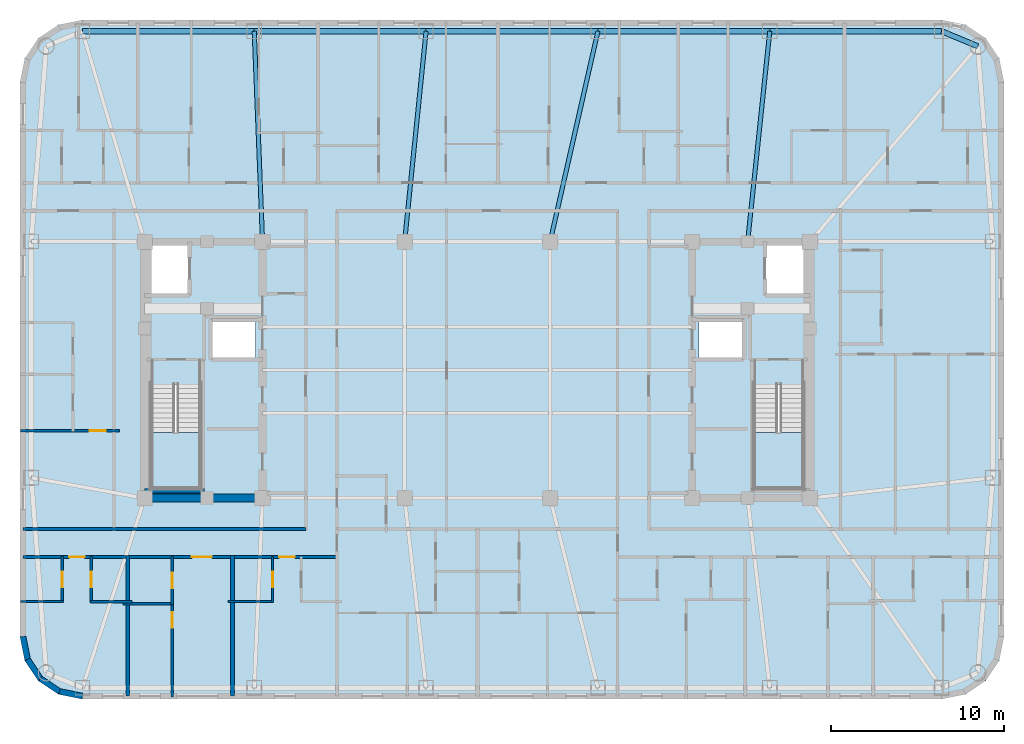
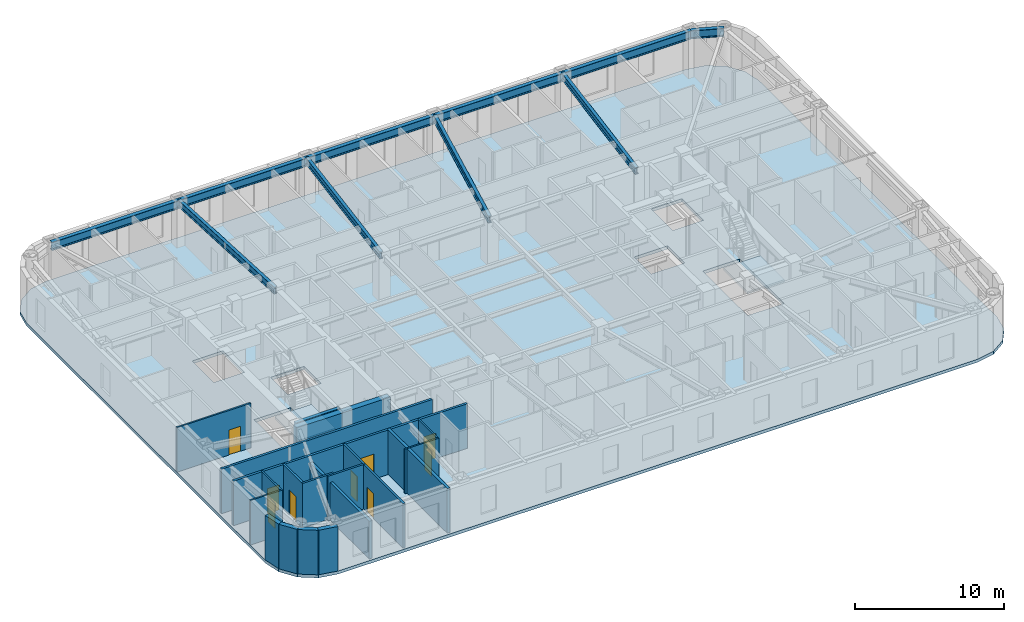
# One storey, part 2 of 11: 20 walls, 10 beams, 9 doors, 3 slabs, 9 openings, 2 elements without a shape of their own.
"""IFC4 building model written with IfcOpenShell, lengths in metres."""

import ifcopenshell
import ifcopenshell.guid

model = None  # the IFC model being written
_history = None  # IfcOwnerHistory: only IFC2X3 demands one
_inside = {}  # id of a spatial element -> (the spatial element, [elements in it])
_under = {}  # id of a project, library or spatial element -> (it, [spatial elements below it])
_declared = {}  # id of a project -> (the project, [libraries it declares])
_typed = {}  # id of a type object -> (the type object, [elements of that type])
_made_of = {}  # id of a material, layer set ... -> (it, [elements and type objects made of it])


def new_model(schema):
    """Start an empty IFC model of exactly this schema.

    Asked for "IFC4X3", IfcOpenShell would pick the latest addendum, in which some entities
    have other attributes; the version numbers below select the first issue.
    IFC2X3 requires an IfcOwnerHistory on every rooted entity: one is made here for all.
    """
    global model, _history
    if schema == "IFC4X3":
        model = ifcopenshell.file(schema_version=(4, 3, 0, 0))
    else:
        model = ifcopenshell.file(schema=schema)
    _inside.clear()
    _under.clear()
    _declared.clear()
    _typed.clear()
    _made_of.clear()
    _history = None
    if model.schema == "IFC2X3":
        org = make("IfcOrganization", Name="unknown")
        user = make(
            "IfcPersonAndOrganization",
            ThePerson=make("IfcPerson", FamilyName="unknown"),
            TheOrganization=org,
        )
        app = make(
            "IfcApplication",
            ApplicationDeveloper=org,
            Version="unknown",
            ApplicationFullName="unknown",
            ApplicationIdentifier="unknown",
        )
        _history = make(
            "IfcOwnerHistory",
            OwningUser=user,
            OwningApplication=app,
            ChangeAction="ADDED",
            CreationDate=0,
        )
    return model


def make(cls, **values):
    """One entity of the class cls with the attributes given. An attribute that is None is left unset."""
    return model.create_entity(
        cls, **{name: value for name, value in values.items() if value is not None}
    )


def rooted(cls, **values):
    """An entity with a GlobalId (a new one), such as an element, a storey or a relation."""
    return make(cls, GlobalId=ifcopenshell.guid.new(), OwnerHistory=_history, **values)


def si_unit(unit_type, name, prefix=None):
    """IfcSIUnit, for example si_unit("LENGTHUNIT", "METRE", prefix="MILLI")."""
    return make("IfcSIUnit", UnitType=unit_type, Prefix=prefix, Name=name)


def assignment(units):
    """IfcUnitAssignment: the units of a project."""
    return None if units is None else make("IfcUnitAssignment", Units=units)


def point(xyz):
    """IfcCartesianPoint."""
    return None if xyz is None else make("IfcCartesianPoint", Coordinates=xyz)


def direction(xyz):
    """IfcDirection."""
    return None if xyz is None else make("IfcDirection", DirectionRatios=xyz)


def frame(location, z_axis=None, x_axis=None):
    """IfcAxis2Placement3D, a coordinate frame: its origin and axes. An axis left out is left unset."""
    return make(
        "IfcAxis2Placement3D",
        Location=point(location),
        Axis=direction(z_axis),
        RefDirection=direction(x_axis),
    )


def frame_2d(location, x_axis=None):
    """IfcAxis2Placement2D, a coordinate frame in the plane: its origin and x axis."""
    return make(
        "IfcAxis2Placement2D", Location=point(location), RefDirection=direction(x_axis)
    )


def origin():
    """The frame at (0, 0, 0) with its axes left unset."""
    return frame((0.0, 0.0, 0.0))


def origin_2d():
    """The frame at (0, 0) in the plane with its x axis left unset."""
    return frame_2d((0.0, 0.0))


def place(relative_to, where):
    """IfcLocalPlacement: puts the frame where relative to a parent placement (None: the world)."""
    return make(
        "IfcLocalPlacement", PlacementRelTo=relative_to, RelativePlacement=where
    )


def context(
    kind, dimensions, precision=None, world=None, true_north=None, identifier=None
):
    """IfcGeometricRepresentationContext, for example the 3D "Model" context."""
    return make(
        "IfcGeometricRepresentationContext",
        ContextIdentifier=identifier,
        ContextType=kind,
        CoordinateSpaceDimension=dimensions,
        Precision=precision,
        WorldCoordinateSystem=world,
        TrueNorth=true_north,
    )


def subcontext(parent, identifier, kind, view, scale=None):
    """IfcGeometricRepresentationSubContext, for example "Body" below "Model"."""
    return make(
        "IfcGeometricRepresentationSubContext",
        ContextIdentifier=identifier,
        ContextType=kind,
        ParentContext=parent,
        TargetScale=scale,
        TargetView=view,
    )


def project(units=None, contexts=None):
    """IfcProject with its units and contexts."""
    return rooted(
        "IfcProject",
        Name="project",
        RepresentationContexts=contexts,
        UnitsInContext=assignment(units),
    )


def spatial(cls, under=None, at=None, **own):
    """A site, building, storey or space (cls), placed at a placement, below another one or the project."""
    s = rooted(cls, ObjectPlacement=at, **own)
    if under is not None:
        _under.setdefault(under.id(), (under, []))[1].append(s)
    return s


def polyline(points):
    """IfcPolyline through the points."""
    return make("IfcPolyline", Points=[point(p) for p in points])


def profile(cls, at=None, kind="AREA", **sizes):
    """A parametric profile (cls). Its sizes go by their IFC names, for example OverallWidth=200.0."""
    return make(cls, ProfileType=kind, Position=at, **sizes)


def rectangle(**sizes):
    """IfcRectangleProfileDef."""
    return profile("IfcRectangleProfileDef", **sizes)


def i_section(**sizes):
    """IfcIShapeProfileDef."""
    return profile("IfcIShapeProfileDef", **sizes)


def outline(outer, holes=None, kind="AREA"):
    """IfcArbitraryClosedProfileDef: a profile drawn as a closed curve; with holes, ...WithVoids."""
    if holes is None:
        return make("IfcArbitraryClosedProfileDef", ProfileType=kind, OuterCurve=outer)
    return make(
        "IfcArbitraryProfileDefWithVoids",
        ProfileType=kind,
        OuterCurve=outer,
        InnerCurves=holes,
    )


def extrude(swept, where, along, depth):
    """IfcExtrudedAreaSolid: the profile swept, set in the frame where, extruded along a direction by depth."""
    return make(
        "IfcExtrudedAreaSolid",
        SweptArea=swept,
        Position=where,
        ExtrudedDirection=direction(along),
        Depth=depth,
    )


def shape(context_of_items, identifier, shape_type, items):
    """IfcShapeRepresentation: the items that make up one representation, for example the "Body"."""
    return make(
        "IfcShapeRepresentation",
        ContextOfItems=context_of_items,
        RepresentationIdentifier=identifier,
        RepresentationType=shape_type,
        Items=items,
    )


def material(Name=None, Category=None):
    """IfcMaterial."""
    return make("IfcMaterial", Name=Name, Category=Category)


def layer(
    of_material, thickness, ventilated=None, Name=None, Category=None, Priority=None
):
    """IfcMaterialLayer: one layer of a wall or slab, of a material (None: an air gap)."""
    return make(
        "IfcMaterialLayer",
        Material=of_material,
        LayerThickness=thickness,
        IsVentilated=ventilated,
        Name=Name,
        Category=Category,
        Priority=Priority,
    )


def layer_set(layers, Name=None):
    """IfcMaterialLayerSet."""
    return make("IfcMaterialLayerSet", MaterialLayers=layers, LayerSetName=Name)


def material_profile(
    of_material, cross_section, Name=None, Category=None, Priority=None
):
    """IfcMaterialProfile: a cross section and its material."""
    return make(
        "IfcMaterialProfile",
        Name=Name,
        Material=of_material,
        Profile=cross_section,
        Priority=Priority,
        Category=Category,
    )


def profile_set(profiles, Name=None, composite=None):
    """IfcMaterialProfileSet."""
    return make(
        "IfcMaterialProfileSet",
        Name=Name,
        MaterialProfiles=profiles,
        CompositeProfile=composite,
    )


def made_of(thing, what):
    """Note that an element or type object is made of a material, layer set ...; save() writes the relation."""
    if what is not None:
        _made_of.setdefault(what.id(), (what, []))[1].append(thing)
    return thing


def type_object(cls, material=None, **own):
    """A type object (cls), such as IfcWallType, which elements share."""
    return made_of(rooted(cls, **own), material)


def element(
    cls,
    number,
    at=None,
    inside=None,
    cuts=None,
    type_object=None,
    material=None,
    context=None,
    identifier="Body",
    shape_type=None,
    held_by="IfcProductDefinitionShape",
    body=None,
    shapes=None,
    **own,
):
    """One element of the class cls, such as IfcWall. Its Tag is "e" and its number.

    at: its placement. inside: the storey or other place that contains it. cuts: it is an
    opening in that element (IfcRelVoidsElement). A single representation is given by context,
    identifier, shape_type and body (its items); several are given by shapes. held_by: the class
    of the entity that holds the representations. save() writes the other relations.
    """
    e = rooted(cls, Tag="e%d" % number, ObjectPlacement=at, **own)
    if body is not None:
        shapes = [shape(context, identifier, shape_type, body)]
    if shapes is not None:
        e.Representation = make(held_by, Representations=shapes)
    if inside is not None:
        _inside.setdefault(inside.id(), (inside, []))[1].append(e)
    if cuts is not None:
        rooted(
            "IfcRelVoidsElement", RelatingBuildingElement=cuts, RelatedOpeningElement=e
        )
    if type_object is not None:
        _typed.setdefault(type_object.id(), (type_object, []))[1].append(e)
    return made_of(e, material)


def fill(opening, filler):
    """IfcRelFillsElement: the door or window that sits in an opening."""
    return rooted(
        "IfcRelFillsElement",
        RelatingOpeningElement=opening,
        RelatedBuildingElement=filler,
    )


def aggregate(whole, parts):
    """IfcRelAggregates: a whole, such as a stair, and the parts it consists of."""
    return rooted("IfcRelAggregates", RelatingObject=whole, RelatedObjects=parts)


def save(model, path):
    """Write the relations noted so far, then the file.

    IfcRelAggregates (storeys below a building ...), IfcRelContainedInSpatialStructure (elements
    in a storey), IfcRelDefinesByType, IfcRelAssociatesMaterial and IfcRelDeclares: one each for
    every whole, place, type object, material and project.
    """
    for whole, parts in _under.values():
        aggregate(whole, parts)
    for where, things in _inside.values():
        rooted(
            "IfcRelContainedInSpatialStructure",
            RelatedElements=things,
            RelatingStructure=where,
        )
    for kind, things in _typed.values():
        rooted("IfcRelDefinesByType", RelatedObjects=things, RelatingType=kind)
    for what, things in _made_of.values():
        rooted("IfcRelAssociatesMaterial", RelatedObjects=things, RelatingMaterial=what)
    for by, libraries in _declared.values():
        rooted("IfcRelDeclares", RelatingContext=by, RelatedDefinitions=libraries)
    model.write(path)


model = new_model("IFC4")

# Units and contexts
model_context = context("Model", 3, precision=1e-05, world=origin(), true_north=direction((0.0, 1.0)))
body_context = subcontext(model_context, "Body", "Model", "MODEL_VIEW")
ifc_project = project(units=[si_unit("LENGTHUNIT", "METRE"), si_unit("AREAUNIT", "SQUARE_METRE"), si_unit("VOLUMEUNIT", "CUBIC_METRE"), si_unit("PLANEANGLEUNIT", "RADIAN"), si_unit("MASSUNIT", "GRAM", prefix="KILO")], contexts=[model_context])

# Site, building, storey
site_placement = place(None, origin())
site = spatial("IfcSite", under=ifc_project, at=site_placement, CompositionType="ELEMENT")
building_placement = place(site_placement, origin())
building = spatial("IfcBuilding", under=site, at=building_placement, Name="Voryun Gate Residences", CompositionType="ELEMENT")
storey_placement = place(building_placement, frame((0.0, 0.0, 223.60009765625)))
storey = spatial("IfcBuildingStorey", under=building, at=storey_placement, Name="L55", CompositionType="ELEMENT", Elevation=223.60009765625)

# Beams
ifc_material_1 = material(Name="Steel SM355", Category="steel")
ifc_material_profile_1 = material_profile(ifc_material_1, i_section(OverallWidth=0.300048828125, OverallDepth=0.679931640625, WebThickness=0.013916015625, FlangeThickness=0.02490234375, FilletRadius=0.01806640625, at=origin_2d()), Name="H-680x300x14x25")
ifc_profile_set_1 = profile_set([ifc_material_profile_1], Name="Steel SM355")
beam_type_1 = type_object("IfcBeamType", Name="BM_EXO_SPANDREL_M", PredefinedType="SPANDREL", material=ifc_profile_set_1)
beam_1_placement = place(storey_placement, frame((28.885986328125, 18.68603515625, 3.309814453125), z_axis=(-0.923881087602, 0.382679678022, 0.0), x_axis=(-0.382679678022, -0.923881087602, 0.0)))
element("IfcBeam", 1, at=beam_1_placement, inside=storey, type_object=beam_type_1, Name="BM-L55-SPAND-10", PredefinedType="SPANDREL", context=body_context, shape_type="SweptSolid", body=[
    extrude(i_section(OverallWidth=0.300048828125, OverallDepth=0.679931640625, WebThickness=0.013916015625, FlangeThickness=0.02490234375, FilletRadius=0.01806640625, at=origin_2d()), origin(), (0.0, 0.0, 1.0), 2.2578125),
])
beam_2_placement = place(storey_placement, frame((26.800048828125, 19.550048828125, 3.309814453125), z_axis=(-1.0, 0.0, 0.0), x_axis=(0.0, -1.0, 0.0)))
element("IfcBeam", 2, at=beam_2_placement, inside=storey, type_object=beam_type_1, Name="BM-L55-SPAND-11", PredefinedType="SPANDREL", context=body_context, shape_type="SweptSolid", body=[
    extrude(i_section(OverallWidth=0.300048828125, OverallDepth=0.679931640625, WebThickness=0.013916015625, FlangeThickness=0.02490234375, FilletRadius=0.01806640625, at=origin_2d()), origin(), (0.0, 0.0, 1.0), 9.920166015625),
])
for number, where, z_axis, x_axis, name in (
    (3, (16.8798828125, 19.550048828125, 3.309814453125), (-1.0, 0.0, 0.0), (0.0, -1.0, 0.0), "BM-L55-SPAND-12"),
    (4, (6.9599609375, 19.550048828125, 3.309814453125), (-1.0, 0.0, 0.0), (0.0, -1.0, 0.0), "BM-L55-SPAND-13"),
    (5, (-2.9599609375, 19.550048828125, 3.309814453125), (-1.0, 0.0, 0.0), (0.0, -1.0, 0.0), "BM-L55-SPAND-14"),
):
    element("IfcBeam", number, at=place(storey_placement, frame(where, z_axis=z_axis, x_axis=x_axis)), inside=storey, type_object=beam_type_1, Name=name, PredefinedType="SPANDREL", context=body_context, shape_type="SweptSolid", body=[
        extrude(i_section(OverallWidth=0.300048828125, OverallDepth=0.679931640625, WebThickness=0.013916015625, FlangeThickness=0.02490234375, FilletRadius=0.01806640625, at=origin_2d()), origin(), (0.0, 0.0, 1.0), 9.919921875),
    ])
beam_3_placement = place(storey_placement, frame((-12.8798828125, 19.550048828125, 3.309814453125), z_axis=(-1.0, 0.0, 0.0), x_axis=(0.0, -1.0, 0.0)))
element("IfcBeam", 6, at=beam_3_placement, inside=storey, type_object=beam_type_1, Name="BM-L55-SPAND-15", PredefinedType="SPANDREL", context=body_context, shape_type="SweptSolid", body=[
    extrude(i_section(OverallWidth=0.300048828125, OverallDepth=0.679931640625, WebThickness=0.013916015625, FlangeThickness=0.02490234375, FilletRadius=0.01806640625, at=origin_2d()), origin(), (0.0, 0.0, 1.0), 9.920166015625),
])
ifc_material_2 = material(Name="Steel SM355", Category="steel")
ifc_material_profile_2 = material_profile(ifc_material_2, i_section(OverallWidth=0.239990234375, OverallDepth=0.550048828125, WebThickness=0.011962890625, FlangeThickness=0.02001953125, FilletRadius=0.01806640625, at=origin_2d()), Name="H-550x240x12x20")
ifc_profile_set_2 = profile_set([ifc_material_profile_2], Name="Steel SM355")
beam_type_2 = type_object("IfcBeamType", Name="BM_GIRD_550", PredefinedType="USERDEFINED", material=ifc_profile_set_2)
beam_4_placement = place(storey_placement, frame((15.60009765625, 7.39990234375, 3.375), z_axis=(0.104751358085, 0.994498442925, 0.0), x_axis=(-0.994498442925, 0.104751358085, 0.0)))
element("IfcBeam", 7, at=beam_4_placement, inside=storey, type_object=beam_type_2, Name="BM-L55-RAD-N2", ObjectType="GIRDER", PredefinedType="USERDEFINED", context=body_context, shape_type="SweptSolid", body=[
    extrude(i_section(OverallWidth=0.239990234375, OverallDepth=0.550048828125, WebThickness=0.011962890625, FlangeThickness=0.02001953125, FilletRadius=0.01806640625, at=origin_2d()), origin(), (0.0, 0.0, 1.0), 12.21728515625),
])
beam_5_placement = place(storey_placement, frame((4.199951171875, 7.39990234375, 3.375), z_axis=(0.221515238368, 0.975156910026, 0.0), x_axis=(-0.975156910026, 0.221515238368, 0.0)))
element("IfcBeam", 8, at=beam_5_placement, inside=storey, type_object=beam_type_2, Name="BM-L55-RAD-N3", ObjectType="GIRDER", PredefinedType="USERDEFINED", context=body_context, shape_type="SweptSolid", body=[
    extrude(i_section(OverallWidth=0.239990234375, OverallDepth=0.550048828125, WebThickness=0.011962890625, FlangeThickness=0.02001953125, FilletRadius=0.01806640625, at=origin_2d()), origin(), (0.0, 0.0, 1.0), 12.459716796875),
])
beam_6_placement = place(storey_placement, frame((-4.199951171875, 7.39990234375, 3.375), z_axis=(0.101528223047, 0.994832659257, 0.0), x_axis=(-0.994832659257, 0.101528223047, 0.0)))
element("IfcBeam", 9, at=beam_6_placement, inside=storey, type_object=beam_type_2, Name="BM-L55-RAD-N4", ObjectType="GIRDER", PredefinedType="USERDEFINED", context=body_context, shape_type="SweptSolid", body=[
    extrude(i_section(OverallWidth=0.239990234375, OverallDepth=0.550048828125, WebThickness=0.011962890625, FlangeThickness=0.02001953125, FilletRadius=0.01806640625, at=origin_2d()), origin(), (0.0, 0.0, 1.0), 12.213134765625),
])
beam_7_placement = place(storey_placement, frame((-12.39990234375, 7.39990234375, 3.375), z_axis=(-0.039473300578, 0.999220625558, 0.0), x_axis=(-0.999220625558, -0.039473300578, 0.0)))
element("IfcBeam", 10, at=beam_7_placement, inside=storey, type_object=beam_type_2, Name="BM-L55-RAD-N5", ObjectType="GIRDER", PredefinedType="USERDEFINED", context=body_context, shape_type="SweptSolid", body=[
    extrude(i_section(OverallWidth=0.239990234375, OverallDepth=0.550048828125, WebThickness=0.011962890625, FlangeThickness=0.02001953125, FilletRadius=0.01806640625, at=origin_2d()), origin(), (0.0, 0.0, 1.0), 12.15966796875),
])

# Slab
ifc_material_3 = material(Name="Concrete C40/50", Category="concrete")
ifc_layer_1 = layer(ifc_material_3, 0.25, Name="SLB_RES_250")
ifc_layer_set_1 = layer_set([ifc_layer_1], Name="Concrete C40/50")
slab_type_1 = type_object("IfcSlabType", Name="SLB_RES_250", PredefinedType="FLOOR", material=ifc_layer_set_1)
slab_1_placement = place(storey_placement, frame((0.0, 0.0, -0.25)))
element("IfcSlab", 11, at=slab_1_placement, inside=storey, type_object=slab_type_1, Name="L55 Structural Floor Slab", PredefinedType="FLOOR", context=body_context, shape_type="SweptSolid", body=[
    extrude(outline(polyline([(-22.800048828125, -19.0), (-24.177734375, -18.72607421875), (-25.345458984375, -17.945556640625), (-26.1259765625, -16.777587890625), (-26.39990234375, -15.39990234375), (-26.39990234375, 16.60009765625), (-26.1259765625, 17.9775390625), (-25.345458984375, 19.1455078125), (-24.177734375, 19.926025390625), (-22.800048828125, 20.199951171875), (26.800048828125, 20.199951171875), (28.177734375, 19.926025390625), (29.345458984375, 19.1455078125), (30.1259765625, 17.9775390625), (30.39990234375, 16.60009765625), (30.39990234375, -15.39990234375), (30.1259765625, -16.777587890625), (29.345458984375, -17.945556640625), (28.177734375, -18.72607421875), (26.800048828125, -19.0), (-22.800048828125, -19.0)]), holes=[polyline([(-15.97509765625, -0.840087890625), (-18.824951171875, -0.840087890625), (-18.824951171875, -6.85009765625), (-15.97509765625, -6.85009765625), (-15.97509765625, -0.840087890625)]), polyline([(18.824951171875, -6.85009765625), (18.824951171875, -0.840087890625), (15.97509765625, -0.840087890625), (15.97509765625, -6.85009765625), (18.824951171875, -6.85009765625)]), polyline([(-12.800048828125, 2.89990234375), (-15.39990234375, 2.89990234375), (-15.39990234375, 0.60009765625), (-12.800048828125, 0.60009765625), (-12.800048828125, 2.89990234375)]), polyline([(12.800048828125, 2.89990234375), (12.800048828125, 0.60009765625), (15.39990234375, 0.60009765625), (15.39990234375, 2.89990234375), (12.800048828125, 2.89990234375)]), polyline([(-16.60009765625, 7.199951171875), (-19.0, 7.199951171875), (-19.0, 4.300048828125), (-16.60009765625, 4.300048828125), (-16.60009765625, 7.199951171875)]), polyline([(19.0, 7.199951171875), (16.60009765625, 7.199951171875), (16.60009765625, 4.300048828125), (19.0, 4.300048828125), (19.0, 7.199951171875)])]), origin(), (0.0, 0.0, 1.0), 0.25),
])

# Stair, slab
ifc_material_4 = material(Name="Concrete C40/50", Category="concrete")
stair_type = type_object("IfcStairType", Name="STR_CORE_DOGLEG_1350", PredefinedType="HALF_TURN_STAIR", material=ifc_material_4)
stair_1_placement = place(storey_placement, origin())
stair_1 = element("IfcStair", 12, at=stair_1_placement, inside=storey, type_object=stair_type, Name="L55 Special Escape Stair ST-W1", PredefinedType="HALF_TURN_STAIR")
ifc_material_5 = material(Name="Concrete C40/50", Category="concrete")
ifc_layer_2 = layer(ifc_material_5, 0.199951171875, Name="SLB_STAIR_LANDING_200")
ifc_layer_set_2 = layer_set([ifc_layer_2], Name="Concrete C40/50")
slab_type_2 = type_object("IfcSlabType", Name="SLB_STAIR_LANDING_200", PredefinedType="LANDING", material=ifc_layer_set_2)
slab_2_placement = place(storey_placement, frame((0.0, 0.0, 1.75)))
slab_2 = element("IfcSlab", 13, at=slab_2_placement, type_object=slab_type_2, Name="ST-W1 landing 1", PredefinedType="LANDING", context=body_context, shape_type="SweptSolid", body=[
    extrude(outline(polyline([(-18.824951171875, -3.60009765625), (-18.824951171875, -6.85009765625), (-15.97509765625, -6.85009765625), (-15.97509765625, -3.60009765625), (-18.824951171875, -3.60009765625)])), origin(), (0.0, 0.0, 1.0), 0.199951171875),
])
aggregate(stair_1, [slab_2])

stair_2_placement = place(storey_placement, origin())
stair_2 = element("IfcStair", 14, at=stair_2_placement, inside=storey, type_object=stair_type, Name="L55 Special Escape Stair ST-E1", PredefinedType="HALF_TURN_STAIR")
slab_3_placement = place(storey_placement, frame((0.0, 0.0, 1.75)))
slab_3 = element("IfcSlab", 15, at=slab_3_placement, type_object=slab_type_2, Name="ST-E1 landing 1", PredefinedType="LANDING", context=body_context, shape_type="SweptSolid", body=[
    extrude(outline(polyline([(15.97509765625, -3.60009765625), (15.97509765625, -6.85009765625), (18.824951171875, -6.85009765625), (18.824951171875, -3.60009765625), (15.97509765625, -3.60009765625)])), origin(), (0.0, 0.0, 1.0), 0.199951171875),
])
aggregate(stair_2, [slab_3])

# Walls
ifc_material_6 = material(Name="Concrete C50/60", Category="concrete")
ifc_layer_3 = layer(ifc_material_6, 0.449951171875, Name="CW_CORE_450")
ifc_layer_set_3 = layer_set([ifc_layer_3], Name="Concrete C50/60")
wall_type_1 = type_object("IfcWallType", Name="CW_CORE_450", PredefinedType="SHEAR", material=ifc_layer_set_3)
wall_1_placement = place(storey_placement, frame((-19.425048828125, -7.39990234375, 0.0), z_axis=(0.0, 0.0, 1.0), x_axis=(1.0, 0.0, 0.0)))
element("IfcWall", 16, at=wall_1_placement, inside=storey, type_object=wall_type_1, Name="L55 Core shear wall CW-L55-WS", PredefinedType="SHEAR", context=body_context, shape_type="SweptSolid", body=[
    extrude(rectangle(XDim=7.25, YDim=0.449951171875, at=frame_2d((3.625, 0.0))), origin(), (0.0, 0.0, 1.0), 3.64990234375),
])
ifc_material_7 = material(Name="Gypsum acoustic fireboard")
ifc_layer_4 = layer(ifc_material_7, 0.179931640625, Name="W_CORR_RATED_180")
ifc_layer_set_4 = layer_set([ifc_layer_4], Name="Gypsum acoustic fireboard")
wall_type_2 = type_object("IfcWallType", Name="W_CORR_RATED_180", PredefinedType="PARTITIONING", material=ifc_layer_set_4)
wall_2_placement = place(storey_placement, frame((-26.22998046875, -9.18994140625, 0.0), z_axis=(0.0, 0.0, 1.0), x_axis=(1.0, 0.0, 0.0)))
element("IfcWall", 17, at=wall_2_placement, inside=storey, type_object=wall_type_2, Name="Partition wall WP-L55-CWING-WS", PredefinedType="PARTITIONING", context=body_context, shape_type="SweptSolid", body=[
    extrude(rectangle(XDim=16.35009765625, YDim=0.179931640625, at=frame_2d((8.175048828125, 0.0))), origin(), (0.0, 0.0, 1.0), 3.64990234375),
])

# Wall, openings, doors
wall_3_placement = place(storey_placement, frame((-26.22998046875, -10.800048828125, 0.0), z_axis=(0.0, 0.0, 1.0), x_axis=(1.0, 0.0, 0.0)))
wall_3 = element("IfcWall", 18, at=wall_3_placement, inside=storey, type_object=wall_type_2, Name="Partition wall WP-L55-SCORR-W", PredefinedType="PARTITIONING", context=body_context, shape_type="SweptSolid", body=[
    extrude(rectangle(XDim=18.14990234375, YDim=0.179931640625, at=frame_2d((9.074951171875, 0.0))), origin(), (0.0, 0.0, 1.0), 3.64990234375),
])
opening_1_placement = place(wall_3_placement, frame((2.6591796875, 0.0, 0.0)))
opening_1 = element("IfcOpeningElement", 19, at=opening_1_placement, cuts=wall_3, Name="Opening D-INT-2", PredefinedType="OPENING", context=body_context, shape_type="SweptSolid", body=[
    extrude(rectangle(XDim=0.89990234375, YDim=2.050048828125, at=frame_2d((0.449951171875, 1.02490234375))), frame((0.0, 0.099853515625, 0.0), z_axis=(0.0, -1.0, 0.0), x_axis=(1.0, 0.0, 0.0)), (0.0, 0.0, 1.0), 0.199951171875),
])
opening_2_placement = place(wall_3_placement, frame((9.754150390625, 0.0, 0.0)))
opening_2 = element("IfcOpeningElement", 20, at=opening_2_placement, cuts=wall_3, Name="Opening D-UNIT-1", PredefinedType="OPENING", context=body_context, shape_type="SweptSolid", body=[
    extrude(rectangle(XDim=1.14990234375, YDim=2.050048828125, at=frame_2d((0.574951171875, 1.02490234375))), frame((0.0, 0.099853515625, 0.0), z_axis=(0.0, -1.0, 0.0), x_axis=(1.0, 0.0, 0.0)), (0.0, 0.0, 1.0), 0.199951171875),
])
opening_3_placement = place(wall_3_placement, frame((14.79248046875, 0.0, 0.0)))
opening_3 = element("IfcOpeningElement", 21, at=opening_3_placement, cuts=wall_3, Name="Opening D-INT-2", PredefinedType="OPENING", context=body_context, shape_type="SweptSolid", body=[
    extrude(rectangle(XDim=0.89990234375, YDim=2.050048828125, at=frame_2d((0.449951171875, 1.02490234375))), frame((0.0, 0.099853515625, 0.0), z_axis=(0.0, -1.0, 0.0), x_axis=(1.0, 0.0, 0.0)), (0.0, 0.0, 1.0), 0.199951171875),
])
ifc_material_8 = material(Name="Architectural oak veneer")
door_type_1 = type_object("IfcDoorType", Name="DR_INT_BATH_900", OperationType="NOTDEFINED", PredefinedType="DOOR", material=ifc_material_8)
door_1_placement = place(opening_1_placement, origin())
door_1 = element("IfcDoor", 22, at=door_1_placement, inside=storey, type_object=door_type_1, Name="Door DR-L55-SENT-1", OperationType="SINGLE_SWING_RIGHT", OverallHeight=2.050048828125, OverallWidth=0.89990234375, PredefinedType="DOOR", context=body_context, shape_type="SweptSolid", body=[
    extrude(rectangle(XDim=0.89990234375, YDim=2.050048828125, at=frame_2d((0.449951171875, 1.02490234375))), frame((0.0, 0.02490234375, 0.0), z_axis=(0.0, -1.0, 0.0), x_axis=(1.0, 0.0, 0.0)), (0.0, 0.0, 1.0), 0.050048828125),
])
fill(opening_1, door_1)
door_2_placement = place(opening_3_placement, origin())
door_2 = element("IfcDoor", 23, at=door_2_placement, inside=storey, type_object=door_type_1, Name="Door DR-L55-SENT-3", OperationType="SINGLE_SWING_RIGHT", OverallHeight=2.050048828125, OverallWidth=0.89990234375, PredefinedType="DOOR", context=body_context, shape_type="SweptSolid", body=[
    extrude(rectangle(XDim=0.89990234375, YDim=2.050048828125, at=frame_2d((0.449951171875, 1.02490234375))), frame((0.0, 0.02490234375, 0.0), z_axis=(0.0, -1.0, 0.0), x_axis=(1.0, 0.0, 0.0)), (0.0, 0.0, 1.0), 0.050048828125),
])
fill(opening_3, door_2)
ifc_material_9 = material(Name="Armoured timber-clad fire door", Category="wood")
door_type_2 = type_object("IfcDoorType", Name="DR_UNIT_ENTRY_1150", OperationType="NOTDEFINED", PredefinedType="DOOR", material=ifc_material_9)
door_3_placement = place(opening_2_placement, origin())
door_3 = element("IfcDoor", 24, at=door_3_placement, inside=storey, type_object=door_type_2, Name="Door DR-L55-SENT-2", OperationType="SINGLE_SWING_LEFT", OverallHeight=2.050048828125, OverallWidth=1.14990234375, PredefinedType="DOOR", context=body_context, shape_type="SweptSolid", body=[
    extrude(rectangle(XDim=1.14990234375, YDim=2.050048828125, at=frame_2d((0.574951171875, 1.02490234375))), frame((0.0, 0.02490234375, 0.0), z_axis=(0.0, -1.0, 0.0), x_axis=(1.0, 0.0, 0.0)), (0.0, 0.0, 1.0), 0.050048828125),
])
fill(opening_2, door_3)

# Walls
ifc_material_10 = material(Name="Charcoal terracotta masonry", Category="masonry")
ifc_layer_5 = layer(ifc_material_10, 0.340087890625, Name="W_EXT_TERRACOTTA_340")
ifc_layer_set_5 = layer_set([ifc_layer_5], Name="Charcoal terracotta masonry")
wall_type_3 = type_object("IfcWallType", Name="W_EXT_TERRACOTTA_340", PredefinedType="ELEMENTEDWALL", material=ifc_layer_set_5)
wall_4_placement = place(storey_placement, frame((-22.783203125, -18.830078125, 0.0), z_axis=(0.0, 0.0, 1.0), x_axis=(-0.980788153188, 0.195075878998, 0.0)))
element("IfcWall", 25, at=wall_4_placement, inside=storey, type_object=wall_type_3, Name="Exterior wall WEXT-L55-02", PredefinedType="ELEMENTEDWALL", context=body_context, shape_type="SweptSolid", body=[
    extrude(rectangle(XDim=1.354248046875, YDim=0.340087890625, at=frame_2d((0.67724609375, 0.0))), origin(), (0.0, 0.0, 1.0), 3.64990234375),
])
wall_5_placement = place(storey_placement, frame((-24.111328125, -18.56591796875, 0.0), z_axis=(0.0, 0.0, 1.0), x_axis=(-0.831403586725, 0.555669034571, 0.0)))
element("IfcWall", 26, at=wall_5_placement, inside=storey, type_object=wall_type_3, Name="Exterior wall WEXT-L55-03", PredefinedType="ELEMENTEDWALL", context=body_context, shape_type="SweptSolid", body=[
    extrude(rectangle(XDim=1.3369140625, YDim=0.340087890625, at=frame_2d((0.66845703125, 0.0))), origin(), (0.0, 0.0, 1.0), 3.64990234375),
])
wall_6_placement = place(storey_placement, frame((-25.222900390625, -17.822998046875, 0.0), z_axis=(0.0, 0.0, 1.0), x_axis=(-0.555584683399, 0.831459956686, 0.0)))
element("IfcWall", 27, at=wall_6_placement, inside=storey, type_object=wall_type_3, Name="Exterior wall WEXT-L55-04", PredefinedType="ELEMENTEDWALL", context=body_context, shape_type="SweptSolid", body=[
    extrude(rectangle(XDim=1.337158203125, YDim=0.340087890625, at=frame_2d((0.66845703125, 0.0))), origin(), (0.0, 0.0, 1.0), 3.64990234375),
])
wall_7_placement = place(storey_placement, frame((-25.9658203125, -16.711181640625, 0.0), z_axis=(0.0, 0.0, 1.0), x_axis=(-0.195110379894, 0.98078129043, 0.0)))
element("IfcWall", 28, at=wall_7_placement, inside=storey, type_object=wall_type_3, Name="Exterior wall WEXT-L55-05", PredefinedType="ELEMENTEDWALL", context=body_context, shape_type="SweptSolid", body=[
    extrude(rectangle(XDim=1.35400390625, YDim=0.340087890625, at=frame_2d((0.677001953125, 0.0))), origin(), (0.0, 0.0, 1.0), 3.64990234375),
])
ifc_material_11 = material(Name="Concrete C40/50", Category="concrete")
ifc_layer_6 = layer(ifc_material_11, 0.219970703125, Name="W_PARTY_ACOUSTIC_220")
ifc_layer_set_6 = layer_set([ifc_layer_6], Name="Concrete C40/50")
wall_type_4 = type_object("IfcWallType", Name="W_PARTY_ACOUSTIC_220", PredefinedType="PARTITIONING", material=ifc_layer_set_6)
wall_8_placement = place(storey_placement, frame((-20.18505859375, -18.830078125, 0.0), z_axis=(0.0, 0.0, 1.0), x_axis=(0.0, 1.0, 0.0)))
element("IfcWall", 29, at=wall_8_placement, inside=storey, type_object=wall_type_4, Name="Partition wall WP-L55-SPTY-1", PredefinedType="PARTITIONING", context=body_context, shape_type="SweptSolid", body=[
    extrude(rectangle(XDim=8.110107421875, YDim=0.219970703125, at=frame_2d((4.05517578125, 0.0))), origin(), (0.0, 0.0, 1.0), 3.08984375),
])
wall_9_placement = place(storey_placement, frame((-14.132080078125, -18.830078125, 0.0), z_axis=(0.0, 0.0, 1.0), x_axis=(0.0, 1.0, 0.0)))
element("IfcWall", 30, at=wall_9_placement, inside=storey, type_object=wall_type_4, Name="Partition wall WP-L55-SPTY-2", PredefinedType="PARTITIONING", context=body_context, shape_type="SweptSolid", body=[
    extrude(rectangle(XDim=8.110107421875, YDim=0.219970703125, at=frame_2d((4.05517578125, 0.0))), origin(), (0.0, 0.0, 1.0), 3.64990234375),
])
ifc_material_12 = material(Name="Concrete C50/60", Category="concrete")
ifc_layer_7 = layer(ifc_material_12, 0.25, Name="W_SHAFT_RC250")
ifc_layer_set_7 = layer_set([ifc_layer_7], Name="Concrete C50/60")
wall_type_5 = type_object("IfcWallType", Name="W_SHAFT_RC250", PredefinedType="SOLIDWALL", material=ifc_layer_set_7)
wall_10_placement = place(storey_placement, frame((-19.199951171875, -6.965087890625, 0.0), z_axis=(0.0, 0.0, 1.0), x_axis=(1.0, 0.0, 0.0)))
element("IfcWall", 31, at=wall_10_placement, inside=storey, type_object=wall_type_5, Name="L55 Stair shaft structural wall W-STS", PredefinedType="SOLIDWALL", context=body_context, shape_type="SweptSolid", body=[
    extrude(rectangle(XDim=3.4599609375, YDim=0.25, at=frame_2d((1.72998046875, 0.0))), origin(), (0.0, 0.0, 1.0), 3.64990234375),
])

# Wall, opening, door
ifc_material_13 = material(Name="Gypsum acoustic partition")
ifc_layer_8 = layer(ifc_material_13, 0.125, Name="W_UNIT_PART_125")
ifc_layer_set_8 = layer_set([ifc_layer_8], Name="Gypsum acoustic partition")
wall_type_6 = type_object("IfcWallType", Name="W_UNIT_PART_125", PredefinedType="PARTITIONING", material=ifc_layer_set_8)
wall_11_placement = place(storey_placement, frame((-23.9599609375, -13.429931640625, 0.0), z_axis=(0.0, 0.0, 1.0), x_axis=(0.0, 1.0, 0.0)))
wall_11 = element("IfcWall", 32, at=wall_11_placement, inside=storey, type_object=wall_type_6, Name="Partition wall WP-L55-S1-CVK", PredefinedType="PARTITIONING", context=body_context, shape_type="SweptSolid", body=[
    extrude(rectangle(XDim=2.64990234375, YDim=0.125, at=frame_2d((1.324951171875, 0.0))), origin(), (0.0, 0.0, 1.0), 3.64990234375),
])
opening_4_placement = place(wall_11_placement, frame((0.875, 0.0, 0.0)))
opening_4 = element("IfcOpeningElement", 33, at=opening_4_placement, cuts=wall_11, Name="Opening D-INT-2", PredefinedType="OPENING", context=body_context, shape_type="SweptSolid", body=[
    extrude(rectangle(XDim=0.89990234375, YDim=2.050048828125, at=frame_2d((0.449951171875, 1.02490234375))), frame((0.0, 0.072509765625, 0.0), z_axis=(0.0, -1.0, 0.0), x_axis=(1.0, 0.0, 0.0)), (0.0, 0.0, 1.0), 0.14501953125),
])
door_4_placement = place(opening_4_placement, origin())
door_4 = element("IfcDoor", 34, at=door_4_placement, inside=storey, type_object=door_type_1, Name="Door DR-L55-S1-DK", OperationType="SINGLE_SWING_LEFT", OverallHeight=2.050048828125, OverallWidth=0.89990234375, PredefinedType="DOOR", context=body_context, shape_type="SweptSolid", body=[
    extrude(rectangle(XDim=0.89990234375, YDim=2.050048828125, at=frame_2d((0.449951171875, 1.02490234375))), frame((0.0, 0.02490234375, 0.0), z_axis=(0.0, -1.0, 0.0), x_axis=(1.0, 0.0, 0.0)), (0.0, 0.0, 1.0), 0.050048828125),
])
fill(opening_4, door_4)

# Wall
wall_12_placement = place(storey_placement, frame((-26.3798828125, -13.3701171875, 0.0), z_axis=(0.0, 0.0, 1.0), x_axis=(1.0, 0.0, 0.0)))
element("IfcWall", 35, at=wall_12_placement, inside=storey, type_object=wall_type_6, Name="Partition wall WP-L55-S1-CHK", PredefinedType="PARTITIONING", context=body_context, shape_type="SweptSolid", body=[
    extrude(rectangle(XDim=2.47998046875, YDim=0.125, at=frame_2d((1.239990234375, 0.0))), origin(), (0.0, 0.0, 1.0), 3.64990234375),
])

# Wall, opening, door
wall_13_placement = place(storey_placement, frame((-11.818115234375, -13.429931640625, 0.0), z_axis=(0.0, 0.0, 1.0), x_axis=(0.0, 1.0, 0.0)))
wall_13 = element("IfcWall", 36, at=wall_13_placement, inside=storey, type_object=wall_type_6, Name="Partition wall WP-L55-S3-CVK", PredefinedType="PARTITIONING", context=body_context, shape_type="SweptSolid", body=[
    extrude(rectangle(XDim=2.64990234375, YDim=0.125, at=frame_2d((1.324951171875, 0.0))), origin(), (0.0, 0.0, 1.0), 3.64990234375),
])
opening_5_placement = place(wall_13_placement, frame((0.875, 0.0, 0.0)))
opening_5 = element("IfcOpeningElement", 37, at=opening_5_placement, cuts=wall_13, Name="Opening D-INT-2", PredefinedType="OPENING", context=body_context, shape_type="SweptSolid", body=[
    extrude(rectangle(XDim=0.89990234375, YDim=2.050048828125, at=frame_2d((0.449951171875, 1.02490234375))), frame((0.0, 0.072509765625, 0.0), z_axis=(0.0, -1.0, 0.0), x_axis=(1.0, 0.0, 0.0)), (0.0, 0.0, 1.0), 0.14501953125),
])
door_5_placement = place(opening_5_placement, origin())
door_5 = element("IfcDoor", 38, at=door_5_placement, inside=storey, type_object=door_type_1, Name="Door DR-L55-S3-DK", OperationType="SINGLE_SWING_LEFT", OverallHeight=2.050048828125, OverallWidth=0.89990234375, PredefinedType="DOOR", context=body_context, shape_type="SweptSolid", body=[
    extrude(rectangle(XDim=0.89990234375, YDim=2.050048828125, at=frame_2d((0.449951171875, 1.02490234375))), frame((0.0, 0.02490234375, 0.0), z_axis=(0.0, -1.0, 0.0), x_axis=(1.0, 0.0, 0.0)), (0.0, 0.0, 1.0), 0.050048828125),
])
fill(opening_5, door_5)

# Wall
wall_14_placement = place(storey_placement, frame((-14.39208984375, -13.3701171875, 0.0), z_axis=(0.0, 0.0, 1.0), x_axis=(1.0, 0.0, 0.0)))
element("IfcWall", 39, at=wall_14_placement, inside=storey, type_object=wall_type_6, Name="Partition wall WP-L55-S3-CHK", PredefinedType="PARTITIONING", context=body_context, shape_type="SweptSolid", body=[
    extrude(rectangle(XDim=2.634033203125, YDim=0.125, at=frame_2d((1.31689453125, 0.0))), origin(), (0.0, 0.0, 1.0), 3.64990234375),
])

# Wall, opening, door
wall_15_placement = place(storey_placement, frame((-26.3798828125, -3.510009765625, 0.0), z_axis=(0.0, 0.0, 1.0), x_axis=(1.0, 0.0, 0.0)))
wall_15 = element("IfcWall", 40, at=wall_15_placement, inside=storey, type_object=wall_type_6, Name="Partition wall WP-L55-W1-HZ3", PredefinedType="PARTITIONING", context=body_context, shape_type="SweptSolid", body=[
    extrude(rectangle(XDim=5.72998046875, YDim=0.125, at=frame_2d((2.864990234375, 0.0))), origin(), (0.0, 0.0, 1.0), 3.64990234375),
])
opening_6_placement = place(wall_15_placement, frame((4.019287109375, 0.0, 0.0)))
opening_6 = element("IfcOpeningElement", 41, at=opening_6_placement, cuts=wall_15, Name="Opening D-INT-2", PredefinedType="OPENING", context=body_context, shape_type="SweptSolid", body=[
    extrude(rectangle(XDim=0.89990234375, YDim=2.050048828125, at=frame_2d((0.449951171875, 1.02490234375))), frame((0.0, 0.072509765625, 0.0), z_axis=(0.0, -1.0, 0.0), x_axis=(1.0, 0.0, 0.0)), (0.0, 0.0, 1.0), 0.14501953125),
])
door_6_placement = place(opening_6_placement, origin())
door_6 = element("IfcDoor", 42, at=door_6_placement, inside=storey, type_object=door_type_1, Name="Door DR-L55-W1-DMB", OperationType="SINGLE_SWING_LEFT", OverallHeight=2.050048828125, OverallWidth=0.89990234375, PredefinedType="DOOR", context=body_context, shape_type="SweptSolid", body=[
    extrude(rectangle(XDim=0.89990234375, YDim=2.050048828125, at=frame_2d((0.449951171875, 1.02490234375))), frame((0.0, 0.02490234375, 0.0), z_axis=(0.0, -1.0, 0.0), x_axis=(1.0, 0.0, 0.0)), (0.0, 0.0, 1.0), 0.050048828125),
])
fill(opening_6, door_6)

ifc_material_14 = material(Name="Gypsum moisture-resistant partition")
ifc_layer_9 = layer(ifc_material_14, 0.14990234375, Name="W_WET_PLUMB_150")
ifc_layer_set_9 = layer_set([ifc_layer_9], Name="Gypsum moisture-resistant partition")
wall_type_7 = type_object("IfcWallType", Name="W_WET_PLUMB_150", PredefinedType="PLUMBINGWALL", material=ifc_layer_set_9)
wall_16_placement = place(storey_placement, frame((-22.281982421875, -13.429931640625, 0.0), z_axis=(0.0, 0.0, 1.0), x_axis=(0.0, 1.0, 0.0)))
wall_16 = element("IfcWall", 43, at=wall_16_placement, inside=storey, type_object=wall_type_7, Name="Partition wall WP-L55-S1-CVB", PredefinedType="PLUMBINGWALL", context=body_context, shape_type="SweptSolid", body=[
    extrude(rectangle(XDim=2.64990234375, YDim=0.14990234375, at=frame_2d((1.324951171875, 0.0))), origin(), (0.0, 0.0, 1.0), 3.64990234375),
])
opening_7_placement = place(wall_16_placement, frame((0.875, 0.0, 0.0)))
opening_7 = element("IfcOpeningElement", 44, at=opening_7_placement, cuts=wall_16, Name="Opening D-INT-2", PredefinedType="OPENING", context=body_context, shape_type="SweptSolid", body=[
    extrude(rectangle(XDim=0.89990234375, YDim=2.050048828125, at=frame_2d((0.449951171875, 1.02490234375))), frame((0.0, 0.0849609375, 0.0), z_axis=(0.0, -1.0, 0.0), x_axis=(1.0, 0.0, 0.0)), (0.0, 0.0, 1.0), 0.169921875),
])
door_7_placement = place(opening_7_placement, origin())
door_7 = element("IfcDoor", 45, at=door_7_placement, inside=storey, type_object=door_type_1, Name="Door DR-L55-S1-DB", OperationType="SINGLE_SWING_RIGHT", OverallHeight=2.050048828125, OverallWidth=0.89990234375, PredefinedType="DOOR", context=body_context, shape_type="SweptSolid", body=[
    extrude(rectangle(XDim=0.89990234375, YDim=2.050048828125, at=frame_2d((0.449951171875, 1.02490234375))), frame((0.0, 0.02490234375, 0.0), z_axis=(0.0, -1.0, 0.0), x_axis=(1.0, 0.0, 0.0)), (0.0, 0.0, 1.0), 0.050048828125),
])
fill(opening_7, door_7)

# Walls
wall_17_placement = place(storey_placement, frame((-22.342041015625, -13.3701171875, 0.0), z_axis=(0.0, 0.0, 1.0), x_axis=(1.0, 0.0, 0.0)))
element("IfcWall", 46, at=wall_17_placement, inside=storey, type_object=wall_type_7, Name="Partition wall WP-L55-S1-CHB", PredefinedType="PLUMBINGWALL", context=body_context, shape_type="SweptSolid", body=[
    extrude(rectangle(XDim=2.4169921875, YDim=0.14990234375, at=frame_2d((1.20849609375, 0.0))), origin(), (0.0, 0.0, 1.0), 3.64990234375),
])
wall_18_placement = place(storey_placement, frame((-20.445068359375, -13.5, 0.0), z_axis=(0.0, 0.0, 1.0), x_axis=(1.0, 0.0, 0.0)))
element("IfcWall", 47, at=wall_18_placement, inside=storey, type_object=wall_type_7, Name="Partition wall WP-L55-S2-SKB", PredefinedType="PLUMBINGWALL", context=body_context, shape_type="SweptSolid", body=[
    extrude(rectangle(XDim=2.916015625, YDim=0.14990234375, at=frame_2d((1.4580078125, 0.0))), origin(), (0.0, 0.0, 1.0), 3.64990234375),
])

# Wall, opening, door
wall_19_placement = place(storey_placement, frame((-17.60888671875, -18.876708984375, 0.0), z_axis=(0.0, 0.0, 1.0), x_axis=(0.0, 1.0, 0.0)))
wall_19 = element("IfcWall", 48, at=wall_19_placement, inside=storey, type_object=wall_type_7, Name="Partition wall WP-L55-S2-SVT1", PredefinedType="PLUMBINGWALL", context=body_context, shape_type="SweptSolid", body=[
    extrude(rectangle(XDim=5.416748046875, YDim=0.14990234375, at=frame_2d((2.70849609375, 0.0))), origin(), (0.0, 0.0, 1.0), 3.64990234375),
])
opening_8_placement = place(wall_19_placement, frame((3.99169921875, 0.0, 0.0)))
opening_8 = element("IfcOpeningElement", 49, at=opening_8_placement, cuts=wall_19, Name="Opening D-INT-2", PredefinedType="OPENING", context=body_context, shape_type="SweptSolid", body=[
    extrude(rectangle(XDim=0.89990234375, YDim=2.050048828125, at=frame_2d((0.449951171875, 1.02490234375))), frame((0.0, 0.0849609375, 0.0), z_axis=(0.0, -1.0, 0.0), x_axis=(1.0, 0.0, 0.0)), (0.0, 0.0, 1.0), 0.169921875),
])
door_8_placement = place(opening_8_placement, origin())
door_8 = element("IfcDoor", 50, at=door_8_placement, inside=storey, type_object=door_type_1, Name="Door DR-L55-S2-DK", OperationType="SINGLE_SWING_LEFT", OverallHeight=2.050048828125, OverallWidth=0.89990234375, PredefinedType="DOOR", context=body_context, shape_type="SweptSolid", body=[
    extrude(rectangle(XDim=0.89990234375, YDim=2.050048828125, at=frame_2d((0.449951171875, 1.02490234375))), frame((0.0, 0.02490234375, 0.0), z_axis=(0.0, -1.0, 0.0), x_axis=(1.0, 0.0, 0.0)), (0.0, 0.0, 1.0), 0.050048828125),
])
fill(opening_8, door_8)

wall_20_placement = place(storey_placement, frame((-17.60888671875, -13.5400390625, 0.0), z_axis=(0.0, 0.0, 1.0), x_axis=(0.0, 1.0, 0.0)))
wall_20 = element("IfcWall", 51, at=wall_20_placement, inside=storey, type_object=wall_type_7, Name="Partition wall WP-L55-S2-SVT2", PredefinedType="PLUMBINGWALL", context=body_context, shape_type="SweptSolid", body=[
    extrude(rectangle(XDim=2.760009765625, YDim=0.14990234375, at=frame_2d((1.3798828125, 0.0))), origin(), (0.0, 0.0, 1.0), 3.64990234375),
])
opening_9_placement = place(wall_20_placement, frame((0.929931640625, 0.0, 0.0)))
opening_9 = element("IfcOpeningElement", 52, at=opening_9_placement, cuts=wall_20, Name="Opening D-INT-2", PredefinedType="OPENING", context=body_context, shape_type="SweptSolid", body=[
    extrude(rectangle(XDim=0.89990234375, YDim=2.050048828125, at=frame_2d((0.449951171875, 1.02490234375))), frame((0.0, 0.0849609375, 0.0), z_axis=(0.0, -1.0, 0.0), x_axis=(1.0, 0.0, 0.0)), (0.0, 0.0, 1.0), 0.169921875),
])
door_9_placement = place(opening_9_placement, origin())
door_9 = element("IfcDoor", 53, at=door_9_placement, inside=storey, type_object=door_type_1, Name="Door DR-L55-S2-DB", OperationType="SINGLE_SWING_RIGHT", OverallHeight=2.050048828125, OverallWidth=0.89990234375, PredefinedType="DOOR", context=body_context, shape_type="SweptSolid", body=[
    extrude(rectangle(XDim=0.89990234375, YDim=2.050048828125, at=frame_2d((0.449951171875, 1.02490234375))), frame((0.0, 0.02490234375, 0.0), z_axis=(0.0, -1.0, 0.0), x_axis=(1.0, 0.0, 0.0)), (0.0, 0.0, 1.0), 0.050048828125),
])
fill(opening_9, door_9)

save(model, "model.ifc")
